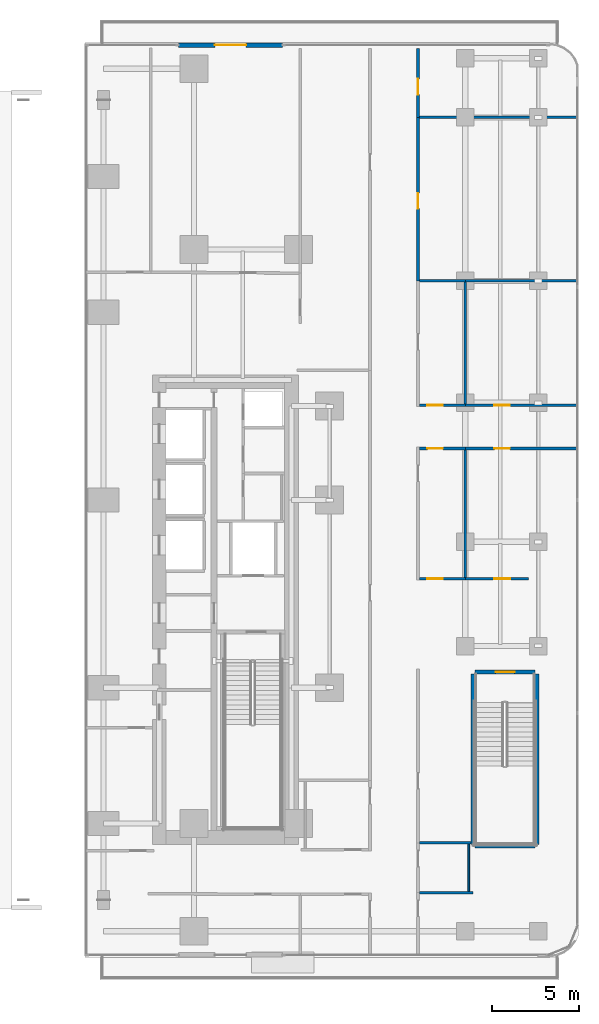
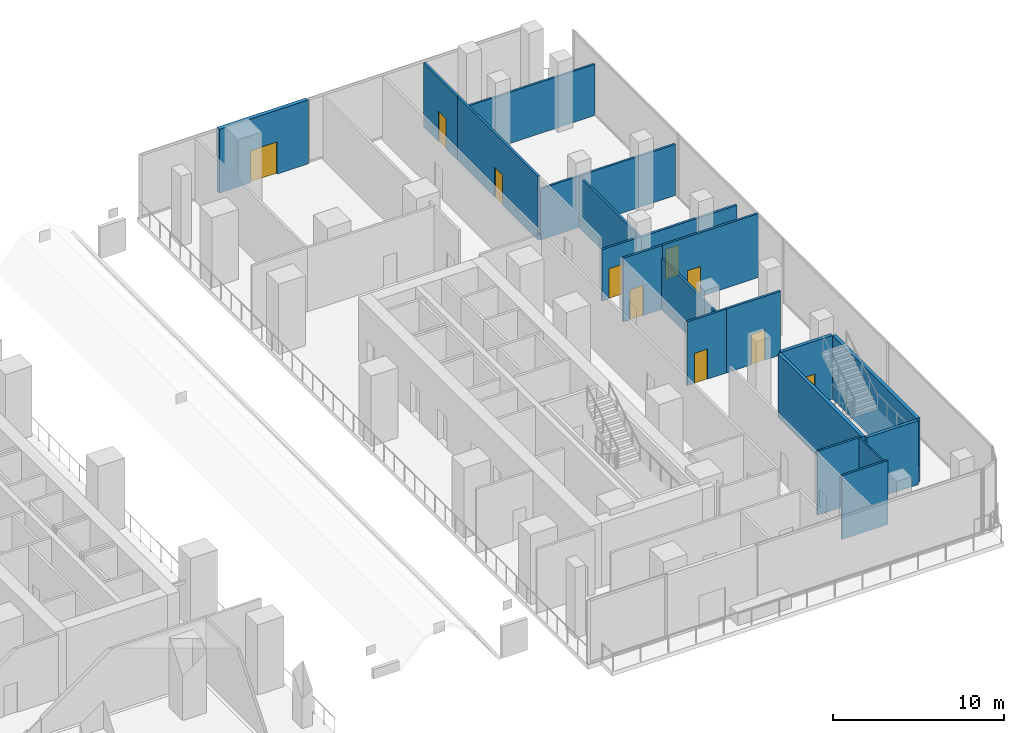
# One storey, part 14 of 32: 21 walls, 10 doors, 10 openings.
"""IFC4 building model written with IfcOpenShell, lengths in metres."""

from ifc_helpers import new_model, si_unit, direction, frame, frame_2d, origin, place, context, subcontext, project, spatial, rectangle, extrude, material, layer, layer_set, type_object, element, fill, save


model = new_model("IFC4")

# Units and contexts
model_context = context("Model", 3, precision=1e-05, world=origin(), true_north=direction((0.0, 1.0)))
body_context = subcontext(model_context, "Body", "Model", "MODEL_VIEW")
ifc_project = project(units=[si_unit("LENGTHUNIT", "METRE"), si_unit("AREAUNIT", "SQUARE_METRE"), si_unit("VOLUMEUNIT", "CUBIC_METRE"), si_unit("PLANEANGLEUNIT", "RADIAN"), si_unit("MASSUNIT", "GRAM", prefix="KILO")], contexts=[model_context])

# Site, building, storey
site_placement = place(None, origin())
site = spatial("IfcSite", under=ifc_project, at=site_placement, CompositionType="ELEMENT")
building_placement = place(site_placement, origin())
building = spatial("IfcBuilding", under=site, at=building_placement, Name="Khairoan Windgate Tower", CompositionType="ELEMENT")
storey_placement = place(building_placement, frame((0.0, 0.0, 16.0)))
storey = spatial("IfcBuildingStorey", under=building, at=storey_placement, Name="L04", CompositionType="ELEMENT", Elevation=16.0)

# Wall
ifc_material_1 = material(Name="Moisture-Resistant Gypsum Partition", Category="gypsum")
ifc_layer_1 = layer(ifc_material_1, 0.10009765625, Name="Moisture-Resistant Gypsum Partition")
ifc_layer_set_1 = layer_set([ifc_layer_1], Name="Moisture-Resistant Gypsum Partition")
wall_type_1 = type_object("IfcWallType", Name="Bathroom Wet-Area Partition Wall", PredefinedType="PARTITIONING", material=ifc_layer_set_1)
wall_1_placement = place(storey_placement, frame((30.199951171875, -19.7900390625, 0.0), z_axis=(0.0, 0.0, 1.0), x_axis=(0.0, -1.0, 0.0)))
element("IfcWall", 1, at=wall_1_placement, inside=storey, type_object=wall_type_1, Name="L04 Wet Room Side Wall 068", PredefinedType="PARTITIONING", context=body_context, shape_type="SweptSolid", body=[
    extrude(rectangle(XDim=2.719970703125, YDim=0.10009765625, at=frame_2d((1.35986328125, 0.0))), origin(), (0.0, 0.0, 1.0), 4.550048828125),
])

# Wall, opening, door
ifc_material_2 = material(Name="Precast Concrete C40/50", Category="concrete")
ifc_layer_2 = layer(ifc_material_2, 0.260009765625, Name="Precast Concrete C40/50")
ifc_layer_set_2 = layer_set([ifc_layer_2], Name="Precast Concrete C40/50")
wall_type_2 = type_object("IfcWallType", Name="Insulated Tower Facade Wall EW2 260mm", PredefinedType="STANDARD", material=ifc_layer_set_2)
wall_2_placement = place(storey_placement, frame((13.5, 26.159912109375, 0.0), z_axis=(0.0, 0.0, 1.0), x_axis=(1.0, 0.0, 0.0)))
wall_2 = element("IfcWall", 2, at=wall_2_placement, inside=storey, type_object=wall_type_2, Name="L04 North-East Terrace Access Wall", PredefinedType="STANDARD", context=body_context, shape_type="SweptSolid", body=[
    extrude(rectangle(XDim=6.0, YDim=0.260009765625, at=frame_2d((3.0, 0.0))), origin(), (0.0, 0.0, 1.0), 4.550048828125),
])
opening_1_placement = place(wall_2_placement, frame((2.10009765625, 0.0, 0.0)))
opening_1 = element("IfcOpeningElement", 3, at=opening_1_placement, cuts=wall_2, Name="Opening TD1", PredefinedType="OPENING", context=body_context, shape_type="SweptSolid", body=[
    extrude(rectangle(XDim=1.800048828125, YDim=2.300048828125, at=frame_2d((0.89990234375, 1.14990234375))), frame((0.0, 0.139892578125, 0.0), z_axis=(0.0, -1.0, 0.0), x_axis=(1.0, 0.0, 0.0)), (0.0, 0.0, 1.0), 0.280029296875),
])
ifc_material_3 = material(Name="Anodised Bronze Aluminium 6063-T6", Category="aluminium")
door_type_1 = type_object("IfcDoorType", Name="Glazed Double Terrace Door TD-1800", OperationType="DOUBLE_DOOR_SINGLE_SWING", PredefinedType="DOOR", material=ifc_material_3)
door_1_placement = place(opening_1_placement, origin())
door_1 = element("IfcDoor", 4, at=door_1_placement, inside=storey, type_object=door_type_1, Name="L04 North-East Sky Terrace Door", OperationType="DOUBLE_DOOR_SINGLE_SWING", OverallHeight=2.300048828125, OverallWidth=1.800048828125, PredefinedType="DOOR", context=body_context, shape_type="SweptSolid", body=[
    extrude(rectangle(XDim=1.800048828125, YDim=2.300048828125, at=frame_2d((0.89990234375, 1.14990234375))), frame((0.0, 0.02490234375, 0.0), z_axis=(0.0, -1.0, 0.0), x_axis=(1.0, 0.0, 0.0)), (0.0, 0.0, 1.0), 0.050048828125),
])
fill(opening_1, door_1)

# Walls
ifc_material_4 = material(Name="Acoustic Fire-Rated Gypsum Partition", Category="gypsum")
ifc_layer_3 = layer(ifc_material_4, 0.139892578125, Name="Acoustic Fire-Rated Gypsum Partition")
ifc_layer_set_3 = layer_set([ifc_layer_3], Name="Acoustic Fire-Rated Gypsum Partition")
wall_type_3 = type_object("IfcWallType", Name="Inter-Tenancy Compartment Wall", PredefinedType="PARTITIONING", material=ifc_layer_set_3)
wall_3_placement = place(storey_placement, frame((27.35498046875, 22.0, 0.0), z_axis=(0.0, 0.0, 1.0), x_axis=(1.0, 0.0, 0.0)))
element("IfcWall", 5, at=wall_3_placement, inside=storey, type_object=wall_type_3, Name="L04 Interior Partition 030", PredefinedType="PARTITIONING", context=body_context, shape_type="SweptSolid", body=[
    extrude(rectangle(XDim=9.090087890625, YDim=0.139892578125, at=frame_2d((4.544921875, 0.0))), origin(), (0.0, 0.0, 1.0), 3.64990234375),
])
wall_4_placement = place(storey_placement, frame((27.35498046875, 12.60009765625, 0.0), z_axis=(0.0, 0.0, 1.0), x_axis=(1.0, 0.0, 0.0)))
element("IfcWall", 6, at=wall_4_placement, inside=storey, type_object=wall_type_3, Name="L04 Interior Partition 032", PredefinedType="PARTITIONING", context=body_context, shape_type="SweptSolid", body=[
    extrude(rectangle(XDim=2.64501953125, YDim=0.139892578125, at=frame_2d((1.322509765625, 0.0))), origin(), (0.0, 0.0, 1.0), 3.64990234375),
])
wall_5_placement = place(storey_placement, frame((30.0, 12.60009765625, 0.0), z_axis=(0.0, 0.0, 1.0), x_axis=(1.0, 0.0, 0.0)))
element("IfcWall", 7, at=wall_5_placement, inside=storey, type_object=wall_type_3, Name="L04 Interior Partition 033", PredefinedType="PARTITIONING", context=body_context, shape_type="SweptSolid", body=[
    extrude(rectangle(XDim=6.445068359375, YDim=0.139892578125, at=frame_2d((3.22265625, 0.0))), origin(), (0.0, 0.0, 1.0), 3.64990234375),
])
wall_6_placement = place(storey_placement, frame((30.0, -4.445068359375, 0.0), z_axis=(0.0, 0.0, 1.0), x_axis=(0.0, 1.0, 0.0)))
element("IfcWall", 8, at=wall_6_placement, inside=storey, type_object=wall_type_3, Name="L04 Interior Partition 060", PredefinedType="PARTITIONING", context=body_context, shape_type="SweptSolid", body=[
    extrude(rectangle(XDim=7.330078125, YDim=0.139892578125, at=frame_2d((3.6650390625, 0.0))), origin(), (0.0, 0.0, 1.0), 3.64990234375),
])
wall_7_placement = place(storey_placement, frame((30.0, 5.514892578125, 0.0), z_axis=(0.0, 0.0, 1.0), x_axis=(0.0, 1.0, 0.0)))
element("IfcWall", 9, at=wall_7_placement, inside=storey, type_object=wall_type_3, Name="L04 Interior Partition 061", PredefinedType="PARTITIONING", context=body_context, shape_type="SweptSolid", body=[
    extrude(rectangle(XDim=7.01513671875, YDim=0.139892578125, at=frame_2d((3.507568359375, 0.0))), origin(), (0.0, 0.0, 1.0), 3.64990234375),
])
wall_8_placement = place(storey_placement, frame((27.35498046875, -22.580078125, 0.0), z_axis=(0.0, 0.0, 1.0), x_axis=(1.0, 0.0, 0.0)))
element("IfcWall", 10, at=wall_8_placement, inside=storey, type_object=wall_type_3, Name="L04 Interior Partition 063", PredefinedType="PARTITIONING", context=body_context, shape_type="SweptSolid", body=[
    extrude(rectangle(XDim=3.0849609375, YDim=0.139892578125, at=frame_2d((1.54248046875, 0.0))), origin(), (0.0, 0.0, 1.0), 4.550048828125),
])
wall_9_placement = place(storey_placement, frame((27.35498046875, -19.719970703125, 0.0), z_axis=(0.0, 0.0, 1.0), x_axis=(1.0, 0.0, 0.0)))
element("IfcWall", 11, at=wall_9_placement, inside=storey, type_object=wall_type_3, Name="L04 Interior Partition 064", PredefinedType="PARTITIONING", context=body_context, shape_type="SweptSolid", body=[
    extrude(rectangle(XDim=2.97509765625, YDim=0.139892578125, at=frame_2d((1.487548828125, 0.0))), origin(), (0.0, 0.0, 1.0), 4.550048828125),
])

# Wall, opening, door
ifc_material_5 = material(Name="Acoustic Fire-Rated Gypsum Partition", Category="gypsum")
ifc_layer_4 = layer(ifc_material_5, 0.14990234375, Name="Acoustic Fire-Rated Gypsum Partition")
ifc_layer_set_4 = layer_set([ifc_layer_4], Name="Acoustic Fire-Rated Gypsum Partition")
wall_type_4 = type_object("IfcWallType", Name="Rated Corridor Partition Wall", PredefinedType="PARTITIONING", material=ifc_layer_set_4)
wall_10_placement = place(storey_placement, frame((27.280029296875, 12.60009765625, 0.0), z_axis=(0.0, 0.0, 1.0), x_axis=(0.0, 1.0, 0.0)))
wall_10 = element("IfcWall", 12, at=wall_10_placement, inside=storey, type_object=wall_type_4, Name="L04 Interior Partition 031", PredefinedType="PARTITIONING", context=body_context, shape_type="SweptSolid", body=[
    extrude(rectangle(XDim=9.39990234375, YDim=0.14990234375, at=frame_2d((4.699951171875, 0.0))), origin(), (0.0, 0.0, 1.0), 4.550048828125),
])
opening_2_placement = place(wall_10_placement, frame((4.147705078125, 0.0, 0.0)))
opening_2 = element("IfcOpeningElement", 13, at=opening_2_placement, cuts=wall_10, Name="Opening FD-ENT", PredefinedType="OPENING", context=body_context, shape_type="SweptSolid", body=[
    extrude(rectangle(XDim=0.89990234375, YDim=2.14990234375, at=frame_2d((0.449951171875, 1.074951171875))), frame((0.0, 0.0849609375, 0.0), z_axis=(0.0, -1.0, 0.0), x_axis=(1.0, 0.0, 0.0)), (0.0, 0.0, 1.0), 0.169921875),
])
ifc_material_6 = material(Name="Timber Fire-Rated Core", Category="wood")
door_type_2 = type_object("IfcDoorType", Name="Unit and Office Fire Entrance Door FD-ENT 900x2150", OperationType="NOTDEFINED", PredefinedType="DOOR", material=ifc_material_6)
door_2_placement = place(opening_2_placement, origin())
door_2 = element("IfcDoor", 14, at=door_2_placement, inside=storey, type_object=door_type_2, Name="L04 L04-40-L04-45 Door", OperationType="SINGLE_SWING_LEFT", OverallHeight=2.14990234375, OverallWidth=0.89990234375, PredefinedType="DOOR", context=body_context, shape_type="SweptSolid", body=[
    extrude(rectangle(XDim=0.89990234375, YDim=2.14990234375, at=frame_2d((0.449951171875, 1.074951171875))), frame((0.0, 0.02490234375, 0.0), z_axis=(0.0, -1.0, 0.0), x_axis=(1.0, 0.0, 0.0)), (0.0, 0.0, 1.0), 0.050048828125),
])
fill(opening_2, door_2)

wall_11_placement = place(storey_placement, frame((27.280029296875, 22.0, 0.0), z_axis=(0.0, 0.0, 1.0), x_axis=(0.0, 1.0, 0.0)))
wall_11 = element("IfcWall", 15, at=wall_11_placement, inside=storey, type_object=wall_type_4, Name="L04 Interior Partition 039", PredefinedType="PARTITIONING", context=body_context, shape_type="SweptSolid", body=[
    extrude(rectangle(XDim=3.94921875, YDim=0.14990234375, at=frame_2d((1.974609375, 0.0))), origin(), (0.0, 0.0, 1.0), 4.550048828125),
])
opening_3_placement = place(wall_11_placement, frame((1.3115234375, 0.0, 0.0)))
opening_3 = element("IfcOpeningElement", 16, at=opening_3_placement, cuts=wall_11, Name="Opening FD-ENT", PredefinedType="OPENING", context=body_context, shape_type="SweptSolid", body=[
    extrude(rectangle(XDim=0.89990234375, YDim=2.14990234375, at=frame_2d((0.449951171875, 1.074951171875))), frame((0.0, 0.0849609375, 0.0), z_axis=(0.0, -1.0, 0.0), x_axis=(1.0, 0.0, 0.0)), (0.0, 0.0, 1.0), 0.169921875),
])
door_3_placement = place(opening_3_placement, origin())
door_3 = element("IfcDoor", 17, at=door_3_placement, inside=storey, type_object=door_type_2, Name="L04 L04-43-L04-45 Door", OperationType="SINGLE_SWING_RIGHT", OverallHeight=2.14990234375, OverallWidth=0.89990234375, PredefinedType="DOOR", context=body_context, shape_type="SweptSolid", body=[
    extrude(rectangle(XDim=0.89990234375, YDim=2.14990234375, at=frame_2d((0.449951171875, 1.074951171875))), frame((0.0, 0.02490234375, 0.0), z_axis=(0.0, -1.0, 0.0), x_axis=(1.0, 0.0, 0.0)), (0.0, 0.0, 1.0), 0.050048828125),
])
fill(opening_3, door_3)

wall_12_placement = place(storey_placement, frame((27.35498046875, 2.9599609375, 0.0), z_axis=(0.0, 0.0, 1.0), x_axis=(1.0, 0.0, 0.0)))
wall_12 = element("IfcWall", 18, at=wall_12_placement, inside=storey, type_object=wall_type_4, Name="L04 Interior Partition 049", PredefinedType="PARTITIONING", context=body_context, shape_type="SweptSolid", body=[
    extrude(rectangle(XDim=2.64501953125, YDim=0.14990234375, at=frame_2d((1.322509765625, 0.0))), origin(), (0.0, 0.0, 1.0), 4.550048828125),
])
opening_4_placement = place(wall_12_placement, frame((0.4599609375, 0.0, 0.0)))
opening_4 = element("IfcOpeningElement", 19, at=opening_4_placement, cuts=wall_12, Name="Opening FD-ENT", PredefinedType="OPENING", context=body_context, shape_type="SweptSolid", body=[
    extrude(rectangle(XDim=0.89990234375, YDim=2.14990234375, at=frame_2d((0.449951171875, 1.074951171875))), frame((0.0, 0.0849609375, 0.0), z_axis=(0.0, -1.0, 0.0), x_axis=(1.0, 0.0, 0.0)), (0.0, 0.0, 1.0), 0.169921875),
])
door_4_placement = place(opening_4_placement, origin())
door_4 = element("IfcDoor", 20, at=door_4_placement, inside=storey, type_object=door_type_2, Name="L04 L04-46-L04-53 Door", OperationType="SINGLE_SWING_RIGHT", OverallHeight=2.14990234375, OverallWidth=0.89990234375, PredefinedType="DOOR", context=body_context, shape_type="SweptSolid", body=[
    extrude(rectangle(XDim=0.89990234375, YDim=2.14990234375, at=frame_2d((0.449951171875, 1.074951171875))), frame((0.0, 0.02490234375, 0.0), z_axis=(0.0, -1.0, 0.0), x_axis=(1.0, 0.0, 0.0)), (0.0, 0.0, 1.0), 0.050048828125),
])
fill(opening_4, door_4)

wall_13_placement = place(storey_placement, frame((30.0, 2.9599609375, 0.0), z_axis=(0.0, 0.0, 1.0), x_axis=(1.0, 0.0, 0.0)))
wall_13 = element("IfcWall", 21, at=wall_13_placement, inside=storey, type_object=wall_type_4, Name="L04 Interior Partition 050", PredefinedType="PARTITIONING", context=body_context, shape_type="SweptSolid", body=[
    extrude(rectangle(XDim=6.445068359375, YDim=0.14990234375, at=frame_2d((3.22265625, 0.0))), origin(), (0.0, 0.0, 1.0), 4.550048828125),
])
opening_5_placement = place(wall_13_placement, frame((1.66650390625, 0.0, 0.0)))
opening_5 = element("IfcOpeningElement", 22, at=opening_5_placement, cuts=wall_13, Name="Opening FD-ENT", PredefinedType="OPENING", context=body_context, shape_type="SweptSolid", body=[
    extrude(rectangle(XDim=0.89990234375, YDim=2.14990234375, at=frame_2d((0.449951171875, 1.074951171875))), frame((0.0, 0.0849609375, 0.0), z_axis=(0.0, -1.0, 0.0), x_axis=(1.0, 0.0, 0.0)), (0.0, 0.0, 1.0), 0.169921875),
])
door_5_placement = place(opening_5_placement, origin())
door_5 = element("IfcDoor", 23, at=door_5_placement, inside=storey, type_object=door_type_2, Name="L04 L04-46-L04-54 Door", OperationType="SINGLE_SWING_LEFT", OverallHeight=2.14990234375, OverallWidth=0.89990234375, PredefinedType="DOOR", context=body_context, shape_type="SweptSolid", body=[
    extrude(rectangle(XDim=0.89990234375, YDim=2.14990234375, at=frame_2d((0.449951171875, 1.074951171875))), frame((0.0, 0.02490234375, 0.0), z_axis=(0.0, -1.0, 0.0), x_axis=(1.0, 0.0, 0.0)), (0.0, 0.0, 1.0), 0.050048828125),
])
fill(opening_5, door_5)

wall_14_placement = place(storey_placement, frame((27.35498046875, 5.43994140625, 0.0), z_axis=(0.0, 0.0, 1.0), x_axis=(1.0, 0.0, 0.0)))
wall_14 = element("IfcWall", 24, at=wall_14_placement, inside=storey, type_object=wall_type_4, Name="L04 Interior Partition 051", PredefinedType="PARTITIONING", context=body_context, shape_type="SweptSolid", body=[
    extrude(rectangle(XDim=2.64501953125, YDim=0.14990234375, at=frame_2d((1.322509765625, 0.0))), origin(), (0.0, 0.0, 1.0), 3.64990234375),
])
opening_6_placement = place(wall_14_placement, frame((0.4599609375, 0.0, 0.0)))
opening_6 = element("IfcOpeningElement", 25, at=opening_6_placement, cuts=wall_14, Name="Opening FD-ENT", PredefinedType="OPENING", context=body_context, shape_type="SweptSolid", body=[
    extrude(rectangle(XDim=0.89990234375, YDim=2.14990234375, at=frame_2d((0.449951171875, 1.074951171875))), frame((0.0, 0.0849609375, 0.0), z_axis=(0.0, -1.0, 0.0), x_axis=(1.0, 0.0, 0.0)), (0.0, 0.0, 1.0), 0.169921875),
])
door_6_placement = place(opening_6_placement, origin())
door_6 = element("IfcDoor", 26, at=door_6_placement, inside=storey, type_object=door_type_2, Name="L04 L04-46-L04-55 Door", OperationType="SINGLE_SWING_RIGHT", OverallHeight=2.14990234375, OverallWidth=0.89990234375, PredefinedType="DOOR", context=body_context, shape_type="SweptSolid", body=[
    extrude(rectangle(XDim=0.89990234375, YDim=2.14990234375, at=frame_2d((0.449951171875, 1.074951171875))), frame((0.0, 0.02490234375, 0.0), z_axis=(0.0, -1.0, 0.0), x_axis=(1.0, 0.0, 0.0)), (0.0, 0.0, 1.0), 0.050048828125),
])
fill(opening_6, door_6)

wall_15_placement = place(storey_placement, frame((30.0, 5.43994140625, 0.0), z_axis=(0.0, 0.0, 1.0), x_axis=(1.0, 0.0, 0.0)))
wall_15 = element("IfcWall", 27, at=wall_15_placement, inside=storey, type_object=wall_type_4, Name="L04 Interior Partition 052", PredefinedType="PARTITIONING", context=body_context, shape_type="SweptSolid", body=[
    extrude(rectangle(XDim=6.445068359375, YDim=0.14990234375, at=frame_2d((3.22265625, 0.0))), origin(), (0.0, 0.0, 1.0), 3.64990234375),
])
opening_7_placement = place(wall_15_placement, frame((1.66650390625, 0.0, 0.0)))
opening_7 = element("IfcOpeningElement", 28, at=opening_7_placement, cuts=wall_15, Name="Opening FD-ENT", PredefinedType="OPENING", context=body_context, shape_type="SweptSolid", body=[
    extrude(rectangle(XDim=0.89990234375, YDim=2.14990234375, at=frame_2d((0.449951171875, 1.074951171875))), frame((0.0, 0.0849609375, 0.0), z_axis=(0.0, -1.0, 0.0), x_axis=(1.0, 0.0, 0.0)), (0.0, 0.0, 1.0), 0.169921875),
])
door_7_placement = place(opening_7_placement, origin())
door_7 = element("IfcDoor", 29, at=door_7_placement, inside=storey, type_object=door_type_2, Name="L04 L04-46-L04-56 Door", OperationType="SINGLE_SWING_LEFT", OverallHeight=2.14990234375, OverallWidth=0.89990234375, PredefinedType="DOOR", context=body_context, shape_type="SweptSolid", body=[
    extrude(rectangle(XDim=0.89990234375, YDim=2.14990234375, at=frame_2d((0.449951171875, 1.074951171875))), frame((0.0, 0.02490234375, 0.0), z_axis=(0.0, -1.0, 0.0), x_axis=(1.0, 0.0, 0.0)), (0.0, 0.0, 1.0), 0.050048828125),
])
fill(opening_7, door_7)

wall_16_placement = place(storey_placement, frame((27.35498046875, -4.52001953125, 0.0), z_axis=(0.0, 0.0, 1.0), x_axis=(1.0, 0.0, 0.0)))
wall_16 = element("IfcWall", 30, at=wall_16_placement, inside=storey, type_object=wall_type_4, Name="L04 Interior Partition 057", PredefinedType="PARTITIONING", context=body_context, shape_type="SweptSolid", body=[
    extrude(rectangle(XDim=2.64501953125, YDim=0.14990234375, at=frame_2d((1.322509765625, 0.0))), origin(), (0.0, 0.0, 1.0), 4.550048828125),
])
opening_8_placement = place(wall_16_placement, frame((0.4599609375, 0.0, 0.0)))
opening_8 = element("IfcOpeningElement", 31, at=opening_8_placement, cuts=wall_16, Name="Opening FD-ENT", PredefinedType="OPENING", context=body_context, shape_type="SweptSolid", body=[
    extrude(rectangle(XDim=0.89990234375, YDim=2.14990234375, at=frame_2d((0.449951171875, 1.074951171875))), frame((0.0, 0.0849609375, 0.0), z_axis=(0.0, -1.0, 0.0), x_axis=(1.0, 0.0, 0.0)), (0.0, 0.0, 1.0), 0.169921875),
])
door_8_placement = place(opening_8_placement, origin())
door_8 = element("IfcDoor", 32, at=door_8_placement, inside=storey, type_object=door_type_2, Name="L04 L04-49-L04-53 Door", OperationType="SINGLE_SWING_RIGHT", OverallHeight=2.14990234375, OverallWidth=0.89990234375, PredefinedType="DOOR", context=body_context, shape_type="SweptSolid", body=[
    extrude(rectangle(XDim=0.89990234375, YDim=2.14990234375, at=frame_2d((0.449951171875, 1.074951171875))), frame((0.0, 0.02490234375, 0.0), z_axis=(0.0, -1.0, 0.0), x_axis=(1.0, 0.0, 0.0)), (0.0, 0.0, 1.0), 0.050048828125),
])
fill(opening_8, door_8)

wall_17_placement = place(storey_placement, frame((30.0, -4.52001953125, 0.0), z_axis=(0.0, 0.0, 1.0), x_axis=(1.0, 0.0, 0.0)))
wall_17 = element("IfcWall", 33, at=wall_17_placement, inside=storey, type_object=wall_type_4, Name="L04 Interior Partition 058", PredefinedType="PARTITIONING", context=body_context, shape_type="SweptSolid", body=[
    extrude(rectangle(XDim=3.639892578125, YDim=0.14990234375, at=frame_2d((1.81982421875, 0.0))), origin(), (0.0, 0.0, 1.0), 4.550048828125),
])
opening_9_placement = place(wall_17_placement, frame((1.67333984375, 0.0, 0.0)))
opening_9 = element("IfcOpeningElement", 34, at=opening_9_placement, cuts=wall_17, Name="Opening FD-ENT", PredefinedType="OPENING", context=body_context, shape_type="SweptSolid", body=[
    extrude(rectangle(XDim=0.89990234375, YDim=2.14990234375, at=frame_2d((0.449951171875, 1.074951171875))), frame((0.0, 0.0849609375, 0.0), z_axis=(0.0, -1.0, 0.0), x_axis=(1.0, 0.0, 0.0)), (0.0, 0.0, 1.0), 0.169921875),
])
door_9_placement = place(opening_9_placement, origin())
door_9 = element("IfcDoor", 35, at=door_9_placement, inside=storey, type_object=door_type_2, Name="L04 L04-49-L04-54 Door", OperationType="SINGLE_SWING_LEFT", OverallHeight=2.14990234375, OverallWidth=0.89990234375, PredefinedType="DOOR", context=body_context, shape_type="SweptSolid", body=[
    extrude(rectangle(XDim=0.89990234375, YDim=2.14990234375, at=frame_2d((0.449951171875, 1.074951171875))), frame((0.0, 0.02490234375, 0.0), z_axis=(0.0, -1.0, 0.0), x_axis=(1.0, 0.0, 0.0)), (0.0, 0.0, 1.0), 0.050048828125),
])
fill(opening_9, door_9)

ifc_material_7 = material(Name="Concrete C50/60", Category="concrete")
ifc_layer_5 = layer(ifc_material_7, 0.219970703125, Name="Concrete C50/60")
ifc_layer_set_5 = layer_set([ifc_layer_5], Name="Concrete C50/60")
wall_type_5 = type_object("IfcWallType", Name="Shear Wall SW-ST 220mm", PredefinedType="SHEAR", material=ifc_layer_set_5)
wall_18_placement = place(storey_placement, frame((34.02001953125, -9.889892578125, 0.0), z_axis=(0.0, 0.0, 1.0), x_axis=(-1.0, 0.0, 0.0)))
wall_18 = element("IfcWall", 36, at=wall_18_placement, inside=storey, type_object=wall_type_5, Name="L04 ST3 North Bearing Wall", PredefinedType="SHEAR", context=body_context, shape_type="SweptSolid", body=[
    extrude(rectangle(XDim=3.469970703125, YDim=0.219970703125, at=frame_2d((1.73486328125, 0.0))), origin(), (0.0, 0.0, 1.0), 4.550048828125),
])
opening_10_placement = place(wall_18_placement, frame((1.179931640625, 0.0, 0.0)))
opening_10 = element("IfcOpeningElement", 37, at=opening_10_placement, cuts=wall_18, Name="Opening FD-ST", PredefinedType="OPENING", context=body_context, shape_type="SweptSolid", body=[
    extrude(rectangle(XDim=1.10009765625, YDim=2.199951171875, at=frame_2d((0.550048828125, 1.10009765625))), frame((0.0, 0.119873046875, 0.0), z_axis=(0.0, -1.0, 0.0), x_axis=(1.0, 0.0, 0.0)), (0.0, 0.0, 1.0), 0.239990234375),
])
ifc_material_8 = material(Name="Steel S355", Category="steel")
door_type_3 = type_object("IfcDoorType", Name="Smokeproof Stair Fire Door FD-ST 1100x2200", OperationType="NOTDEFINED", PredefinedType="DOOR", material=ifc_material_8)
door_10_placement = place(opening_10_placement, origin())
door_10 = element("IfcDoor", 38, at=door_10_placement, inside=storey, type_object=door_type_3, Name="L04 Stair ST3 Fire Door", OperationType="SINGLE_SWING_RIGHT", OverallHeight=2.199951171875, OverallWidth=1.10009765625, PredefinedType="DOOR", context=body_context, shape_type="SweptSolid", body=[
    extrude(rectangle(XDim=1.10009765625, YDim=2.199951171875, at=frame_2d((0.550048828125, 1.10009765625))), frame((0.0, 0.02490234375, 0.0), z_axis=(0.0, -1.0, 0.0), x_axis=(1.0, 0.0, 0.0)), (0.0, 0.0, 1.0), 0.050048828125),
])
fill(opening_10, door_10)

# Walls
wall_19_placement = place(storey_placement, frame((30.550048828125, -19.909912109375, 0.0), z_axis=(0.0, 0.0, 1.0), x_axis=(1.0, 0.0, 0.0)))
element("IfcWall", 39, at=wall_19_placement, inside=storey, type_object=wall_type_5, Name="L04 ST3 South Bearing Wall", PredefinedType="SHEAR", context=body_context, shape_type="SweptSolid", body=[
    extrude(rectangle(XDim=3.469970703125, YDim=0.219970703125, at=frame_2d((1.73486328125, 0.0))), origin(), (0.0, 0.0, 1.0), 4.550048828125),
])
for number, where, z_axis, x_axis, name in (
    (40, (30.43994140625, -19.800048828125, 0.0), (0.0, 0.0, 1.0), (0.0, 1.0, 0.0), "L04 ST3 West Bearing Wall"),
    (41, (34.1298828125, -19.800048828125, 0.0), (0.0, 0.0, 1.0), (0.0, 1.0, 0.0), "L04 ST3 East Bearing Wall"),
):
    element("IfcWall", number, at=place(storey_placement, frame(where, z_axis=z_axis, x_axis=x_axis)), inside=storey, type_object=wall_type_5, Name=name, PredefinedType="SHEAR", context=body_context, shape_type="SweptSolid", body=[
        extrude(rectangle(XDim=9.800048828125, YDim=0.219970703125, at=frame_2d((4.89990234375, 0.0))), origin(), (0.0, 0.0, 1.0), 4.550048828125),
    ])

save(model, "model.ifc")
